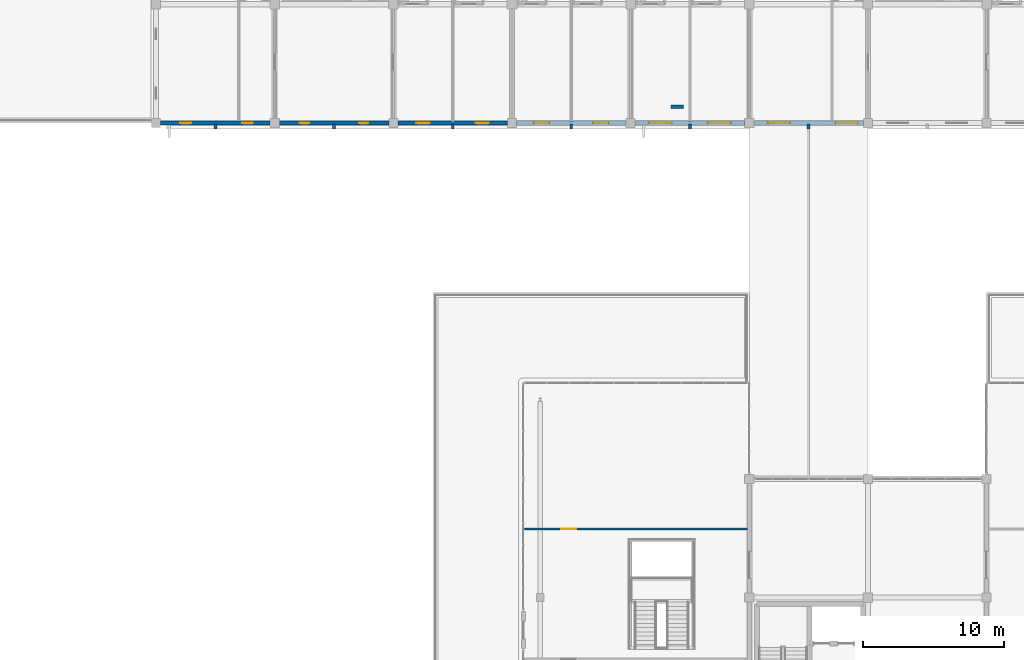
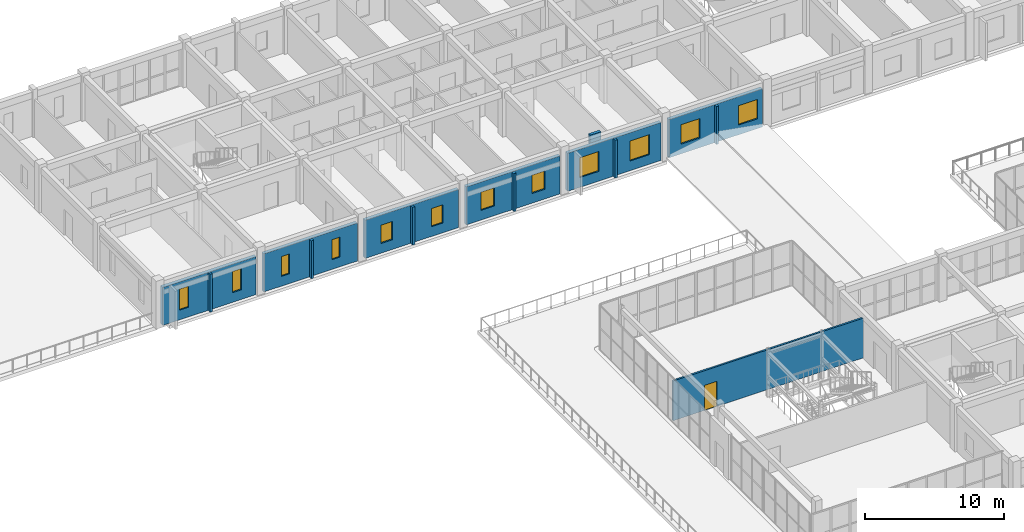
# One storey, part 68 of 90: 14 walls, 12 windows, 1 door, 13 openings.
"""IFC4 building model written with IfcOpenShell, lengths in metres."""

import ifcopenshell
import ifcopenshell.guid

model = None  # the IFC model being written
_history = None  # IfcOwnerHistory: only IFC2X3 demands one
_inside = {}  # id of a spatial element -> (the spatial element, [elements in it])
_under = {}  # id of a project, library or spatial element -> (it, [spatial elements below it])
_declared = {}  # id of a project -> (the project, [libraries it declares])
_typed = {}  # id of a type object -> (the type object, [elements of that type])
_made_of = {}  # id of a material, layer set ... -> (it, [elements and type objects made of it])


def new_model(schema):
    """Start an empty IFC model of exactly this schema.

    Asked for "IFC4X3", IfcOpenShell would pick the latest addendum, in which some entities
    have other attributes; the version numbers below select the first issue.
    IFC2X3 requires an IfcOwnerHistory on every rooted entity: one is made here for all.
    """
    global model, _history
    if schema == "IFC4X3":
        model = ifcopenshell.file(schema_version=(4, 3, 0, 0))
    else:
        model = ifcopenshell.file(schema=schema)
    _inside.clear()
    _under.clear()
    _declared.clear()
    _typed.clear()
    _made_of.clear()
    _history = None
    if model.schema == "IFC2X3":
        org = make("IfcOrganization", Name="unknown")
        user = make(
            "IfcPersonAndOrganization",
            ThePerson=make("IfcPerson", FamilyName="unknown"),
            TheOrganization=org,
        )
        app = make(
            "IfcApplication",
            ApplicationDeveloper=org,
            Version="unknown",
            ApplicationFullName="unknown",
            ApplicationIdentifier="unknown",
        )
        _history = make(
            "IfcOwnerHistory",
            OwningUser=user,
            OwningApplication=app,
            ChangeAction="ADDED",
            CreationDate=0,
        )
    return model


def make(cls, **values):
    """One entity of the class cls with the attributes given. An attribute that is None is left unset."""
    return model.create_entity(
        cls, **{name: value for name, value in values.items() if value is not None}
    )


def rooted(cls, **values):
    """An entity with a GlobalId (a new one), such as an element, a storey or a relation."""
    return make(cls, GlobalId=ifcopenshell.guid.new(), OwnerHistory=_history, **values)


def si_unit(unit_type, name, prefix=None):
    """IfcSIUnit, for example si_unit("LENGTHUNIT", "METRE", prefix="MILLI")."""
    return make("IfcSIUnit", UnitType=unit_type, Prefix=prefix, Name=name)


def assignment(units):
    """IfcUnitAssignment: the units of a project."""
    return None if units is None else make("IfcUnitAssignment", Units=units)


def point(xyz):
    """IfcCartesianPoint."""
    return None if xyz is None else make("IfcCartesianPoint", Coordinates=xyz)


def direction(xyz):
    """IfcDirection."""
    return None if xyz is None else make("IfcDirection", DirectionRatios=xyz)


def frame(location, z_axis=None, x_axis=None):
    """IfcAxis2Placement3D, a coordinate frame: its origin and axes. An axis left out is left unset."""
    return make(
        "IfcAxis2Placement3D",
        Location=point(location),
        Axis=direction(z_axis),
        RefDirection=direction(x_axis),
    )


def frame_2d(location, x_axis=None):
    """IfcAxis2Placement2D, a coordinate frame in the plane: its origin and x axis."""
    return make(
        "IfcAxis2Placement2D", Location=point(location), RefDirection=direction(x_axis)
    )


def origin():
    """The frame at (0, 0, 0) with its axes left unset."""
    return frame((0.0, 0.0, 0.0))


def place(relative_to, where):
    """IfcLocalPlacement: puts the frame where relative to a parent placement (None: the world)."""
    return make(
        "IfcLocalPlacement", PlacementRelTo=relative_to, RelativePlacement=where
    )


def context(
    kind, dimensions, precision=None, world=None, true_north=None, identifier=None
):
    """IfcGeometricRepresentationContext, for example the 3D "Model" context."""
    return make(
        "IfcGeometricRepresentationContext",
        ContextIdentifier=identifier,
        ContextType=kind,
        CoordinateSpaceDimension=dimensions,
        Precision=precision,
        WorldCoordinateSystem=world,
        TrueNorth=true_north,
    )


def subcontext(parent, identifier, kind, view, scale=None):
    """IfcGeometricRepresentationSubContext, for example "Body" below "Model"."""
    return make(
        "IfcGeometricRepresentationSubContext",
        ContextIdentifier=identifier,
        ContextType=kind,
        ParentContext=parent,
        TargetScale=scale,
        TargetView=view,
    )


def project(units=None, contexts=None):
    """IfcProject with its units and contexts."""
    return rooted(
        "IfcProject",
        Name="project",
        RepresentationContexts=contexts,
        UnitsInContext=assignment(units),
    )


def spatial(cls, under=None, at=None, **own):
    """A site, building, storey or space (cls), placed at a placement, below another one or the project."""
    s = rooted(cls, ObjectPlacement=at, **own)
    if under is not None:
        _under.setdefault(under.id(), (under, []))[1].append(s)
    return s


def profile(cls, at=None, kind="AREA", **sizes):
    """A parametric profile (cls). Its sizes go by their IFC names, for example OverallWidth=200.0."""
    return make(cls, ProfileType=kind, Position=at, **sizes)


def rectangle(**sizes):
    """IfcRectangleProfileDef."""
    return profile("IfcRectangleProfileDef", **sizes)


def extrude(swept, where, along, depth):
    """IfcExtrudedAreaSolid: the profile swept, set in the frame where, extruded along a direction by depth."""
    return make(
        "IfcExtrudedAreaSolid",
        SweptArea=swept,
        Position=where,
        ExtrudedDirection=direction(along),
        Depth=depth,
    )


def shape(context_of_items, identifier, shape_type, items):
    """IfcShapeRepresentation: the items that make up one representation, for example the "Body"."""
    return make(
        "IfcShapeRepresentation",
        ContextOfItems=context_of_items,
        RepresentationIdentifier=identifier,
        RepresentationType=shape_type,
        Items=items,
    )


def material(Name=None, Category=None):
    """IfcMaterial."""
    return make("IfcMaterial", Name=Name, Category=Category)


def layer(
    of_material, thickness, ventilated=None, Name=None, Category=None, Priority=None
):
    """IfcMaterialLayer: one layer of a wall or slab, of a material (None: an air gap)."""
    return make(
        "IfcMaterialLayer",
        Material=of_material,
        LayerThickness=thickness,
        IsVentilated=ventilated,
        Name=Name,
        Category=Category,
        Priority=Priority,
    )


def layer_set(layers, Name=None):
    """IfcMaterialLayerSet."""
    return make("IfcMaterialLayerSet", MaterialLayers=layers, LayerSetName=Name)


def made_of(thing, what):
    """Note that an element or type object is made of a material, layer set ...; save() writes the relation."""
    if what is not None:
        _made_of.setdefault(what.id(), (what, []))[1].append(thing)
    return thing


def type_object(cls, material=None, **own):
    """A type object (cls), such as IfcWallType, which elements share."""
    return made_of(rooted(cls, **own), material)


def element(
    cls,
    number,
    at=None,
    inside=None,
    cuts=None,
    type_object=None,
    material=None,
    context=None,
    identifier="Body",
    shape_type=None,
    held_by="IfcProductDefinitionShape",
    body=None,
    shapes=None,
    **own,
):
    """One element of the class cls, such as IfcWall. Its Tag is "e" and its number.

    at: its placement. inside: the storey or other place that contains it. cuts: it is an
    opening in that element (IfcRelVoidsElement). A single representation is given by context,
    identifier, shape_type and body (its items); several are given by shapes. held_by: the class
    of the entity that holds the representations. save() writes the other relations.
    """
    e = rooted(cls, Tag="e%d" % number, ObjectPlacement=at, **own)
    if body is not None:
        shapes = [shape(context, identifier, shape_type, body)]
    if shapes is not None:
        e.Representation = make(held_by, Representations=shapes)
    if inside is not None:
        _inside.setdefault(inside.id(), (inside, []))[1].append(e)
    if cuts is not None:
        rooted(
            "IfcRelVoidsElement", RelatingBuildingElement=cuts, RelatedOpeningElement=e
        )
    if type_object is not None:
        _typed.setdefault(type_object.id(), (type_object, []))[1].append(e)
    return made_of(e, material)


def fill(opening, filler):
    """IfcRelFillsElement: the door or window that sits in an opening."""
    return rooted(
        "IfcRelFillsElement",
        RelatingOpeningElement=opening,
        RelatedBuildingElement=filler,
    )


def aggregate(whole, parts):
    """IfcRelAggregates: a whole, such as a stair, and the parts it consists of."""
    return rooted("IfcRelAggregates", RelatingObject=whole, RelatedObjects=parts)


def save(model, path):
    """Write the relations noted so far, then the file.

    IfcRelAggregates (storeys below a building ...), IfcRelContainedInSpatialStructure (elements
    in a storey), IfcRelDefinesByType, IfcRelAssociatesMaterial and IfcRelDeclares: one each for
    every whole, place, type object, material and project.
    """
    for whole, parts in _under.values():
        aggregate(whole, parts)
    for where, things in _inside.values():
        rooted(
            "IfcRelContainedInSpatialStructure",
            RelatedElements=things,
            RelatingStructure=where,
        )
    for kind, things in _typed.values():
        rooted("IfcRelDefinesByType", RelatedObjects=things, RelatingType=kind)
    for what, things in _made_of.values():
        rooted("IfcRelAssociatesMaterial", RelatedObjects=things, RelatingMaterial=what)
    for by, libraries in _declared.values():
        rooted("IfcRelDeclares", RelatingContext=by, RelatedDefinitions=libraries)
    model.write(path)


model = new_model("IFC4")

# Units and contexts
model_context = context("Model", 3, precision=1e-05, world=origin(), true_north=direction((0.0, 1.0)))
body_context = subcontext(model_context, "Body", "Model", "MODEL_VIEW")
ifc_project = project(units=[si_unit("LENGTHUNIT", "METRE"), si_unit("AREAUNIT", "SQUARE_METRE"), si_unit("VOLUMEUNIT", "CUBIC_METRE"), si_unit("PLANEANGLEUNIT", "RADIAN"), si_unit("MASSUNIT", "GRAM", prefix="KILO")], contexts=[model_context])

# Site, building, storey
site_placement = place(None, origin())
site = spatial("IfcSite", under=ifc_project, at=site_placement, CompositionType="ELEMENT")
building_placement = place(site_placement, origin())
building = spatial("IfcBuilding", under=site, at=building_placement, Name="Trelvath General Hospital", CompositionType="ELEMENT")
storey_placement = place(building_placement, frame((0.0, 0.0, 20.39990234375)))
storey = spatial("IfcBuildingStorey", under=building, at=storey_placement, Name="L05", CompositionType="ELEMENT", Elevation=20.39990234375)

# Walls
ifc_material_1 = material(Name="Precast concrete C40/50", Category="concrete")
ifc_layer_1 = layer(ifc_material_1, 0.199951171875)
ifc_layer_set_1 = layer_set([ifc_layer_1], Name="Precast concrete C40/50")
wall_type_1 = type_object("IfcWallType", Name="BriseSoleilRib 200", PredefinedType="ELEMENTEDWALL", material=ifc_layer_set_1)
for number, where, z_axis, x_axis, name in (
    (1, (37.800048828125, 92.324951171875, 0.0), (0.0, 0.0, 1.0), (0.0, -1.0, 0.0), "Precast Concrete Brise-Soleil Rib Fin L05-366"),
    (2, (46.199951171875, 92.324951171875, 0.0), (0.0, 0.0, 1.0), (0.0, -1.0, 0.0), "Precast Concrete Brise-Soleil Rib Fin L05-369"),
    (3, (54.60009765625, 92.324951171875, 0.0), (0.0, 0.0, 1.0), (0.0, -1.0, 0.0), "Precast Concrete Brise-Soleil Rib Fin L05-372"),
    (4, (63.0, 92.324951171875, 0.0), (0.0, 0.0, 1.0), (0.0, -1.0, 0.0), "Precast Concrete Brise-Soleil Rib Fin L05-376"),
    (5, (71.39990234375, 92.324951171875, 0.0), (0.0, 0.0, 1.0), (0.0, -1.0, 0.0), "Precast Concrete Brise-Soleil Rib Fin L05-380"),
    (6, (79.800048828125, 92.324951171875, 0.0), (0.0, 0.0, 1.0), (0.0, -1.0, 0.0), "Precast Concrete Brise-Soleil Rib Fin L05-384"),
):
    element("IfcWall", number, at=place(storey_placement, frame(where, z_axis=z_axis, x_axis=x_axis)), inside=storey, type_object=wall_type_1, Name=name, PredefinedType="ELEMENTEDWALL", context=body_context, shape_type="SweptSolid", body=[
        extrude(rectangle(XDim=0.33984375, YDim=0.199951171875, at=frame_2d((0.169921875, 0.0))), origin(), (0.0, 0.0, 1.0), 3.320068359375),
    ])

# Wall, opening, door
ifc_material_2 = material(Name="Gypsum acoustic steel-stud partition", Category="steel")
ifc_layer_2 = layer(ifc_material_2, 0.14990234375)
ifc_layer_set_2 = layer_set([ifc_layer_2], Name="Gypsum acoustic steel-stud partition")
wall_type_2 = type_object("IfcWallType", Name="ClinicalPartition 150", PredefinedType="PARTITIONING", material=ifc_layer_set_2)
wall_1_placement = place(storey_placement, frame((59.699951171875, 63.64990234375, 0.0), z_axis=(0.0, 0.0, 1.0), x_axis=(1.0, 0.0, 0.0)))
wall_1 = element("IfcWall", 7, at=wall_1_placement, inside=storey, type_object=wall_type_2, Name="Cube Clinic CUBE-W Partition L05-2028", PredefinedType="PARTITIONING", context=body_context, shape_type="SweptSolid", body=[
    extrude(rectangle(XDim=15.800048828125, YDim=0.14990234375, at=frame_2d((7.89990234375, 0.0))), origin(), (0.0, 0.0, 1.0), 3.489990234375),
])
opening_1_placement = place(wall_1_placement, frame((2.60009765625, 0.0, 0.0)))
opening_1 = element("IfcOpeningElement", 8, at=opening_1_placement, cuts=wall_1, Name="Opening DC-5-1304", PredefinedType="OPENING", context=body_context, shape_type="SweptSolid", body=[
    extrude(rectangle(XDim=1.050048828125, YDim=2.199951171875, at=frame_2d((0.52490234375, 1.10009765625))), frame((0.0, 0.0849609375, 0.0), z_axis=(0.0, -1.0, 0.0), x_axis=(1.0, 0.0, 0.0)), (0.0, 0.0, 1.0), 0.169921875),
])
ifc_material_3 = material(Name="Acoustic hospital timber leaf", Category="wood")
door_type = type_object("IfcDoorType", Name="Door Consult 1050x2200", OperationType="NOTDEFINED", PredefinedType="DOOR", material=ifc_material_3)
door_placement = place(opening_1_placement, origin())
door = element("IfcDoor", 9, at=door_placement, inside=storey, type_object=door_type, Name="Cube Clinic CUBE-W Door L05-1304", OperationType="SINGLE_SWING_RIGHT", OverallHeight=2.199951171875, OverallWidth=1.050048828125, PredefinedType="DOOR", context=body_context, shape_type="SweptSolid", body=[
    extrude(rectangle(XDim=1.050048828125, YDim=2.199951171875, at=frame_2d((0.52490234375, 1.10009765625))), frame((0.0, 0.02490234375, 0.0), z_axis=(0.0, -1.0, 0.0), x_axis=(1.0, 0.0, 0.0)), (0.0, 0.0, 1.0), 0.050048828125),
])
fill(opening_1, door)

# Wall, openings, windows
ifc_material_4 = material(Name="Concrete C35/45", Category="concrete")
ifc_layer_3 = layer(ifc_material_4, 0.2900390625)
ifc_layer_set_3 = layer_set([ifc_layer_3], Name="Concrete C35/45")
wall_type_3 = type_object("IfcWallType", Name="ExtBushHammeredWall 290", PredefinedType="SOLIDWALL", material=ifc_layer_set_3)
wall_2_placement = place(storey_placement, frame((41.679931640625, 92.39990234375, 0.0), z_axis=(0.0, 0.0, 1.0), x_axis=(-1.0, 0.0, 0.0)))
wall_2 = element("IfcWall", 10, at=wall_2_placement, inside=storey, type_object=wall_type_3, Name="Exterior Concrete Wall L05-497", PredefinedType="SOLIDWALL", context=body_context, shape_type="SweptSolid", body=[
    extrude(rectangle(XDim=7.760009765625, YDim=0.2900390625, at=frame_2d((3.8798828125, 0.0))), origin(), (0.0, 0.0, 1.0), 3.340087890625),
])
opening_2_placement = place(wall_2_placement, frame((1.22509765625, 0.0, 0.85009765625)))
opening_2 = element("IfcOpeningElement", 11, at=opening_2_placement, cuts=wall_2, Name="Opening WN-5-821", PredefinedType="OPENING", context=body_context, shape_type="SweptSolid", body=[
    extrude(rectangle(XDim=0.75, YDim=1.85009765625, at=frame_2d((0.375, 0.925048828125))), frame((0.0, 0.155029296875, 0.0), z_axis=(0.0, -1.0, 0.0), x_axis=(1.0, 0.0, 0.0)), (0.0, 0.0, 1.0), 0.31005859375),
])
opening_3_placement = place(wall_2_placement, frame((5.60009765625, 0.0, 0.85009765625)))
opening_3 = element("IfcOpeningElement", 12, at=opening_3_placement, cuts=wall_2, Name="Opening WN-5-822", PredefinedType="OPENING", context=body_context, shape_type="SweptSolid", body=[
    extrude(rectangle(XDim=0.75, YDim=1.85009765625, at=frame_2d((0.375, 0.925048828125))), frame((0.0, 0.155029296875, 0.0), z_axis=(0.0, -1.0, 0.0), x_axis=(1.0, 0.0, 0.0)), (0.0, 0.0, 1.0), 0.31005859375),
])
ifc_material_5 = material(Name="Low-E laminated glass", Category="glass")
window_type_1 = type_object("IfcWindowType", Name="Window SunSlot 750x1850", PartitioningType="SINGLE_PANEL", PredefinedType="WINDOW", material=ifc_material_5)
window_1_placement = place(opening_2_placement, origin())
window_1 = element("IfcWindow", 13, at=window_1_placement, inside=storey, type_object=window_type_1, Name="Solar Reveal Window L05-821", OverallHeight=1.85009765625, OverallWidth=0.75, PartitioningType="SINGLE_PANEL", PredefinedType="WINDOW", context=body_context, shape_type="SweptSolid", body=[
    extrude(rectangle(XDim=0.75, YDim=1.85009765625, at=frame_2d((0.375, 0.925048828125))), frame((0.0, 0.030029296875, 0.0), z_axis=(0.0, -1.0, 0.0), x_axis=(1.0, 0.0, 0.0)), (0.0, 0.0, 1.0), 0.06005859375),
])
fill(opening_2, window_1)
window_2_placement = place(opening_3_placement, origin())
window_2 = element("IfcWindow", 14, at=window_2_placement, inside=storey, type_object=window_type_1, Name="Solar Reveal Window L05-822", OverallHeight=1.85009765625, OverallWidth=0.75, PartitioningType="SINGLE_PANEL", PredefinedType="WINDOW", context=body_context, shape_type="SweptSolid", body=[
    extrude(rectangle(XDim=0.75, YDim=1.85009765625, at=frame_2d((0.375, 0.925048828125))), frame((0.0, 0.030029296875, 0.0), z_axis=(0.0, -1.0, 0.0), x_axis=(1.0, 0.0, 0.0)), (0.0, 0.0, 1.0), 0.06005859375),
])
fill(opening_3, window_2)

wall_3_placement = place(storey_placement, frame((50.080078125, 92.39990234375, 0.0), z_axis=(0.0, 0.0, 1.0), x_axis=(-1.0, 0.0, 0.0)))
wall_3 = element("IfcWall", 15, at=wall_3_placement, inside=storey, type_object=wall_type_3, Name="Exterior Concrete Wall L05-503", PredefinedType="SOLIDWALL", context=body_context, shape_type="SweptSolid", body=[
    extrude(rectangle(XDim=7.760009765625, YDim=0.2900390625, at=frame_2d((3.8798828125, 0.0))), origin(), (0.0, 0.0, 1.0), 3.340087890625),
])
opening_4_placement = place(wall_3_placement, frame((1.459716796875, 0.0, 0.85009765625)))
opening_4 = element("IfcOpeningElement", 16, at=opening_4_placement, cuts=wall_3, Name="Opening WN-5-831", PredefinedType="OPENING", context=body_context, shape_type="SweptSolid", body=[
    extrude(rectangle(XDim=0.64990234375, YDim=1.75, at=frame_2d((0.324951171875, 0.875))), frame((0.0, 0.155029296875, 0.0), z_axis=(0.0, -1.0, 0.0), x_axis=(1.0, 0.0, 0.0)), (0.0, 0.0, 1.0), 0.31005859375),
])
opening_5_placement = place(wall_3_placement, frame((5.650146484375, 0.0, 0.85009765625)))
opening_5 = element("IfcOpeningElement", 17, at=opening_5_placement, cuts=wall_3, Name="Opening WN-5-832", PredefinedType="OPENING", context=body_context, shape_type="SweptSolid", body=[
    extrude(rectangle(XDim=0.64990234375, YDim=1.75, at=frame_2d((0.324951171875, 0.875))), frame((0.0, 0.155029296875, 0.0), z_axis=(0.0, -1.0, 0.0), x_axis=(1.0, 0.0, 0.0)), (0.0, 0.0, 1.0), 0.31005859375),
])
ifc_material_6 = material(Name="Low-E laminated glass", Category="glass")
window_type_2 = type_object("IfcWindowType", Name="Window SunSlot 650x1750", PartitioningType="SINGLE_PANEL", PredefinedType="WINDOW", material=ifc_material_6)
window_3_placement = place(opening_4_placement, origin())
window_3 = element("IfcWindow", 18, at=window_3_placement, inside=storey, type_object=window_type_2, Name="Solar Reveal Window L05-831", OverallHeight=1.75, OverallWidth=0.64990234375, PartitioningType="SINGLE_PANEL", PredefinedType="WINDOW", context=body_context, shape_type="SweptSolid", body=[
    extrude(rectangle(XDim=0.64990234375, YDim=1.75, at=frame_2d((0.324951171875, 0.875))), frame((0.0, 0.030029296875, 0.0), z_axis=(0.0, -1.0, 0.0), x_axis=(1.0, 0.0, 0.0)), (0.0, 0.0, 1.0), 0.06005859375),
])
fill(opening_4, window_3)
window_4_placement = place(opening_5_placement, origin())
window_4 = element("IfcWindow", 19, at=window_4_placement, inside=storey, type_object=window_type_2, Name="Solar Reveal Window L05-832", OverallHeight=1.75, OverallWidth=0.64990234375, PartitioningType="SINGLE_PANEL", PredefinedType="WINDOW", context=body_context, shape_type="SweptSolid", body=[
    extrude(rectangle(XDim=0.64990234375, YDim=1.75, at=frame_2d((0.324951171875, 0.875))), frame((0.0, 0.030029296875, 0.0), z_axis=(0.0, -1.0, 0.0), x_axis=(1.0, 0.0, 0.0)), (0.0, 0.0, 1.0), 0.06005859375),
])
fill(opening_5, window_4)

wall_4_placement = place(storey_placement, frame((58.47998046875, 92.39990234375, 0.0), z_axis=(0.0, 0.0, 1.0), x_axis=(-1.0, 0.0, 0.0)))
wall_4 = element("IfcWall", 20, at=wall_4_placement, inside=storey, type_object=wall_type_3, Name="Exterior Concrete Wall L05-506", PredefinedType="SOLIDWALL", context=body_context, shape_type="SweptSolid", body=[
    extrude(rectangle(XDim=7.760009765625, YDim=0.2900390625, at=frame_2d((3.8798828125, 0.0))), origin(), (0.0, 0.0, 1.0), 3.340087890625),
])
opening_6_placement = place(wall_4_placement, frame((1.309814453125, 0.0, 0.85009765625)))
opening_6 = element("IfcOpeningElement", 21, at=opening_6_placement, cuts=wall_4, Name="Opening WN-5-837", PredefinedType="OPENING", context=body_context, shape_type="SweptSolid", body=[
    extrude(rectangle(XDim=0.949951171875, YDim=1.60009765625, at=frame_2d((0.47509765625, 0.800048828125))), frame((0.0, 0.155029296875, 0.0), z_axis=(0.0, -1.0, 0.0), x_axis=(1.0, 0.0, 0.0)), (0.0, 0.0, 1.0), 0.31005859375),
])
opening_7_placement = place(wall_4_placement, frame((5.500244140625, 0.0, 0.85009765625)))
opening_7 = element("IfcOpeningElement", 22, at=opening_7_placement, cuts=wall_4, Name="Opening WN-5-838", PredefinedType="OPENING", context=body_context, shape_type="SweptSolid", body=[
    extrude(rectangle(XDim=0.949951171875, YDim=1.60009765625, at=frame_2d((0.47509765625, 0.800048828125))), frame((0.0, 0.155029296875, 0.0), z_axis=(0.0, -1.0, 0.0), x_axis=(1.0, 0.0, 0.0)), (0.0, 0.0, 1.0), 0.31005859375),
])
ifc_material_7 = material(Name="Low-E laminated glass", Category="glass")
window_type_3 = type_object("IfcWindowType", Name="Window DeepReveal 950x1600", PartitioningType="SINGLE_PANEL", PredefinedType="WINDOW", material=ifc_material_7)
window_5_placement = place(opening_6_placement, origin())
window_5 = element("IfcWindow", 23, at=window_5_placement, inside=storey, type_object=window_type_3, Name="Solar Reveal Window L05-837", OverallHeight=1.60009765625, OverallWidth=0.949951171875, PartitioningType="SINGLE_PANEL", PredefinedType="WINDOW", context=body_context, shape_type="SweptSolid", body=[
    extrude(rectangle(XDim=0.949951171875, YDim=1.60009765625, at=frame_2d((0.47509765625, 0.800048828125))), frame((0.0, 0.030029296875, 0.0), z_axis=(0.0, -1.0, 0.0), x_axis=(1.0, 0.0, 0.0)), (0.0, 0.0, 1.0), 0.06005859375),
])
fill(opening_6, window_5)
window_6_placement = place(opening_7_placement, origin())
window_6 = element("IfcWindow", 24, at=window_6_placement, inside=storey, type_object=window_type_3, Name="Solar Reveal Window L05-838", OverallHeight=1.60009765625, OverallWidth=0.949951171875, PartitioningType="SINGLE_PANEL", PredefinedType="WINDOW", context=body_context, shape_type="SweptSolid", body=[
    extrude(rectangle(XDim=0.949951171875, YDim=1.60009765625, at=frame_2d((0.47509765625, 0.800048828125))), frame((0.0, 0.030029296875, 0.0), z_axis=(0.0, -1.0, 0.0), x_axis=(1.0, 0.0, 0.0)), (0.0, 0.0, 1.0), 0.06005859375),
])
fill(opening_7, window_6)

wall_5_placement = place(storey_placement, frame((66.8798828125, 92.39990234375, 0.0), z_axis=(0.0, 0.0, 1.0), x_axis=(-1.0, 0.0, 0.0)))
wall_5 = element("IfcWall", 25, at=wall_5_placement, inside=storey, type_object=wall_type_3, Name="Exterior Concrete Wall L05-510", PredefinedType="SOLIDWALL", context=body_context, shape_type="SweptSolid", body=[
    extrude(rectangle(XDim=7.759765625, YDim=0.2900390625, at=frame_2d((3.8798828125, 0.0))), origin(), (0.0, 0.0, 1.0), 3.340087890625),
])
opening_8_placement = place(wall_5_placement, frame((1.23486328125, 0.0, 0.85009765625)))
opening_8 = element("IfcOpeningElement", 26, at=opening_8_placement, cuts=wall_5, Name="Opening WN-5-845", PredefinedType="OPENING", context=body_context, shape_type="SweptSolid", body=[
    extrude(rectangle(XDim=1.10009765625, YDim=1.60009765625, at=frame_2d((0.550048828125, 0.800048828125))), frame((0.0, 0.155029296875, 0.0), z_axis=(0.0, -1.0, 0.0), x_axis=(1.0, 0.0, 0.0)), (0.0, 0.0, 1.0), 0.31005859375),
])
opening_9_placement = place(wall_5_placement, frame((5.42529296875, 0.0, 0.85009765625)))
opening_9 = element("IfcOpeningElement", 27, at=opening_9_placement, cuts=wall_5, Name="Opening WN-5-846", PredefinedType="OPENING", context=body_context, shape_type="SweptSolid", body=[
    extrude(rectangle(XDim=1.10009765625, YDim=1.60009765625, at=frame_2d((0.550048828125, 0.800048828125))), frame((0.0, 0.155029296875, 0.0), z_axis=(0.0, -1.0, 0.0), x_axis=(1.0, 0.0, 0.0)), (0.0, 0.0, 1.0), 0.31005859375),
])
ifc_material_8 = material(Name="Low-E laminated glass", Category="glass")
window_type_4 = type_object("IfcWindowType", Name="Window DeepReveal 1100x1600", PartitioningType="SINGLE_PANEL", PredefinedType="WINDOW", material=ifc_material_8)
window_7_placement = place(opening_8_placement, origin())
window_7 = element("IfcWindow", 28, at=window_7_placement, inside=storey, type_object=window_type_4, Name="Solar Reveal Window L05-845", OverallHeight=1.60009765625, OverallWidth=1.10009765625, PartitioningType="SINGLE_PANEL", PredefinedType="WINDOW", context=body_context, shape_type="SweptSolid", body=[
    extrude(rectangle(XDim=1.10009765625, YDim=1.60009765625, at=frame_2d((0.550048828125, 0.800048828125))), frame((0.0, 0.030029296875, 0.0), z_axis=(0.0, -1.0, 0.0), x_axis=(1.0, 0.0, 0.0)), (0.0, 0.0, 1.0), 0.06005859375),
])
fill(opening_8, window_7)
window_8_placement = place(opening_9_placement, origin())
window_8 = element("IfcWindow", 29, at=window_8_placement, inside=storey, type_object=window_type_4, Name="Solar Reveal Window L05-846", OverallHeight=1.60009765625, OverallWidth=1.10009765625, PartitioningType="SINGLE_PANEL", PredefinedType="WINDOW", context=body_context, shape_type="SweptSolid", body=[
    extrude(rectangle(XDim=1.10009765625, YDim=1.60009765625, at=frame_2d((0.550048828125, 0.800048828125))), frame((0.0, 0.030029296875, 0.0), z_axis=(0.0, -1.0, 0.0), x_axis=(1.0, 0.0, 0.0)), (0.0, 0.0, 1.0), 0.06005859375),
])
fill(opening_9, window_8)

wall_6_placement = place(storey_placement, frame((75.280029296875, 92.39990234375, 0.0), z_axis=(0.0, 0.0, 1.0), x_axis=(-1.0, 0.0, 0.0)))
wall_6 = element("IfcWall", 30, at=wall_6_placement, inside=storey, type_object=wall_type_3, Name="Exterior Concrete Wall L05-514", PredefinedType="SOLIDWALL", context=body_context, shape_type="SweptSolid", body=[
    extrude(rectangle(XDim=7.760009765625, YDim=0.2900390625, at=frame_2d((3.8798828125, 0.0))), origin(), (0.0, 0.0, 1.0), 3.340087890625),
])
opening_10_placement = place(wall_6_placement, frame((0.96484375, 0.0, 0.85009765625)))
opening_10 = element("IfcOpeningElement", 31, at=opening_10_placement, cuts=wall_6, Name="Opening WN-5-853", PredefinedType="OPENING", context=body_context, shape_type="SweptSolid", body=[
    extrude(rectangle(XDim=1.639892578125, YDim=1.75, at=frame_2d((0.81982421875, 0.875))), frame((0.0, 0.155029296875, 0.0), z_axis=(0.0, -1.0, 0.0), x_axis=(1.0, 0.0, 0.0)), (0.0, 0.0, 1.0), 0.31005859375),
])
opening_11_placement = place(wall_6_placement, frame((5.1552734375, 0.0, 0.85009765625)))
opening_11 = element("IfcOpeningElement", 32, at=opening_11_placement, cuts=wall_6, Name="Opening WN-5-854", PredefinedType="OPENING", context=body_context, shape_type="SweptSolid", body=[
    extrude(rectangle(XDim=1.639892578125, YDim=1.75, at=frame_2d((0.81982421875, 0.875))), frame((0.0, 0.155029296875, 0.0), z_axis=(0.0, -1.0, 0.0), x_axis=(1.0, 0.0, 0.0)), (0.0, 0.0, 1.0), 0.31005859375),
])
ifc_material_9 = material(Name="Low-E laminated glass", Category="glass")
window_type_5 = type_object("IfcWindowType", Name="Window ICU 1640x1750", PartitioningType="DOUBLE_PANEL_VERTICAL", PredefinedType="WINDOW", material=ifc_material_9)
window_9_placement = place(opening_10_placement, origin())
window_9 = element("IfcWindow", 33, at=window_9_placement, inside=storey, type_object=window_type_5, Name="Solar Reveal Window L05-853", OverallHeight=1.75, OverallWidth=1.639892578125, PartitioningType="SINGLE_PANEL", PredefinedType="WINDOW", context=body_context, shape_type="SweptSolid", body=[
    extrude(rectangle(XDim=1.639892578125, YDim=1.75, at=frame_2d((0.81982421875, 0.875))), frame((0.0, 0.030029296875, 0.0), z_axis=(0.0, -1.0, 0.0), x_axis=(1.0, 0.0, 0.0)), (0.0, 0.0, 1.0), 0.06005859375),
])
fill(opening_10, window_9)
window_10_placement = place(opening_11_placement, origin())
window_10 = element("IfcWindow", 34, at=window_10_placement, inside=storey, type_object=window_type_5, Name="Solar Reveal Window L05-854", OverallHeight=1.75, OverallWidth=1.639892578125, PartitioningType="SINGLE_PANEL", PredefinedType="WINDOW", context=body_context, shape_type="SweptSolid", body=[
    extrude(rectangle(XDim=1.639892578125, YDim=1.75, at=frame_2d((0.81982421875, 0.875))), frame((0.0, 0.030029296875, 0.0), z_axis=(0.0, -1.0, 0.0), x_axis=(1.0, 0.0, 0.0)), (0.0, 0.0, 1.0), 0.06005859375),
])
fill(opening_11, window_10)

wall_7_placement = place(storey_placement, frame((83.679931640625, 92.39990234375, 0.0), z_axis=(0.0, 0.0, 1.0), x_axis=(-1.0, 0.0, 0.0)))
wall_7 = element("IfcWall", 35, at=wall_7_placement, inside=storey, type_object=wall_type_3, Name="Exterior Concrete Wall L05-521", PredefinedType="SOLIDWALL", context=body_context, shape_type="SweptSolid", body=[
    extrude(rectangle(XDim=7.760009765625, YDim=0.2900390625, at=frame_2d((3.8798828125, 0.0))), origin(), (0.0, 0.0, 1.0), 3.340087890625),
])
opening_12_placement = place(wall_7_placement, frame((0.39501953125, 0.0, 0.85009765625)))
opening_12 = element("IfcOpeningElement", 36, at=opening_12_placement, cuts=wall_7, Name="Opening WN-5-863", PredefinedType="OPENING", context=body_context, shape_type="SweptSolid", body=[
    extrude(rectangle(XDim=1.580078125, YDim=1.699951171875, at=frame_2d((0.7900390625, 0.85009765625))), frame((0.0, 0.155029296875, 0.0), z_axis=(0.0, -1.0, 0.0), x_axis=(1.0, 0.0, 0.0)), (0.0, 0.0, 1.0), 0.31005859375),
])
opening_13_placement = place(wall_7_placement, frame((5.185302734375, 0.0, 0.85009765625)))
opening_13 = element("IfcOpeningElement", 37, at=opening_13_placement, cuts=wall_7, Name="Opening WN-5-864", PredefinedType="OPENING", context=body_context, shape_type="SweptSolid", body=[
    extrude(rectangle(XDim=1.580078125, YDim=1.699951171875, at=frame_2d((0.7900390625, 0.85009765625))), frame((0.0, 0.155029296875, 0.0), z_axis=(0.0, -1.0, 0.0), x_axis=(1.0, 0.0, 0.0)), (0.0, 0.0, 1.0), 0.31005859375),
])
ifc_material_10 = material(Name="Low-E laminated glass", Category="glass")
window_type_6 = type_object("IfcWindowType", Name="Window Recovery 1580x1700", PartitioningType="DOUBLE_PANEL_VERTICAL", PredefinedType="WINDOW", material=ifc_material_10)
window_11_placement = place(opening_12_placement, origin())
window_11 = element("IfcWindow", 38, at=window_11_placement, inside=storey, type_object=window_type_6, Name="Solar Reveal Window L05-863", OverallHeight=1.699951171875, OverallWidth=1.580078125, PartitioningType="SINGLE_PANEL", PredefinedType="WINDOW", context=body_context, shape_type="SweptSolid", body=[
    extrude(rectangle(XDim=1.580078125, YDim=1.699951171875, at=frame_2d((0.7900390625, 0.85009765625))), frame((0.0, 0.030029296875, 0.0), z_axis=(0.0, -1.0, 0.0), x_axis=(1.0, 0.0, 0.0)), (0.0, 0.0, 1.0), 0.06005859375),
])
fill(opening_12, window_11)
window_12_placement = place(opening_13_placement, origin())
window_12 = element("IfcWindow", 39, at=window_12_placement, inside=storey, type_object=window_type_6, Name="Solar Reveal Window L05-864", OverallHeight=1.699951171875, OverallWidth=1.580078125, PartitioningType="SINGLE_PANEL", PredefinedType="WINDOW", context=body_context, shape_type="SweptSolid", body=[
    extrude(rectangle(XDim=1.580078125, YDim=1.699951171875, at=frame_2d((0.7900390625, 0.85009765625))), frame((0.0, 0.030029296875, 0.0), z_axis=(0.0, -1.0, 0.0), x_axis=(1.0, 0.0, 0.0)), (0.0, 0.0, 1.0), 0.06005859375),
])
fill(opening_13, window_12)

# Wall
ifc_material_11 = material(Name="Masonry service chase blockwork", Category="masonry")
ifc_layer_4 = layer(ifc_material_11, 0.239990234375)
ifc_layer_set_4 = layer_set([ifc_layer_4], Name="Masonry service chase blockwork")
wall_type_4 = type_object("IfcWallType", Name="PlumbingChaseWall 240", PredefinedType="PLUMBINGWALL", material=ifc_layer_set_4)
wall_8_placement = place(storey_placement, frame((70.050048828125, 93.550048828125, 0.0), z_axis=(0.0, 0.0, 1.0), x_axis=(1.0, 0.0, 0.0)))
element("IfcWall", 40, at=wall_8_placement, inside=storey, type_object=wall_type_4, Name="Medical Gas Plumbing Chase L05-1924", PredefinedType="PLUMBINGWALL", context=body_context, shape_type="SweptSolid", body=[
    extrude(rectangle(XDim=0.89990234375, YDim=0.239990234375, at=frame_2d((0.449951171875, 0.0))), origin(), (0.0, 0.0, 1.0), 3.320068359375),
])

save(model, "model.ifc")
